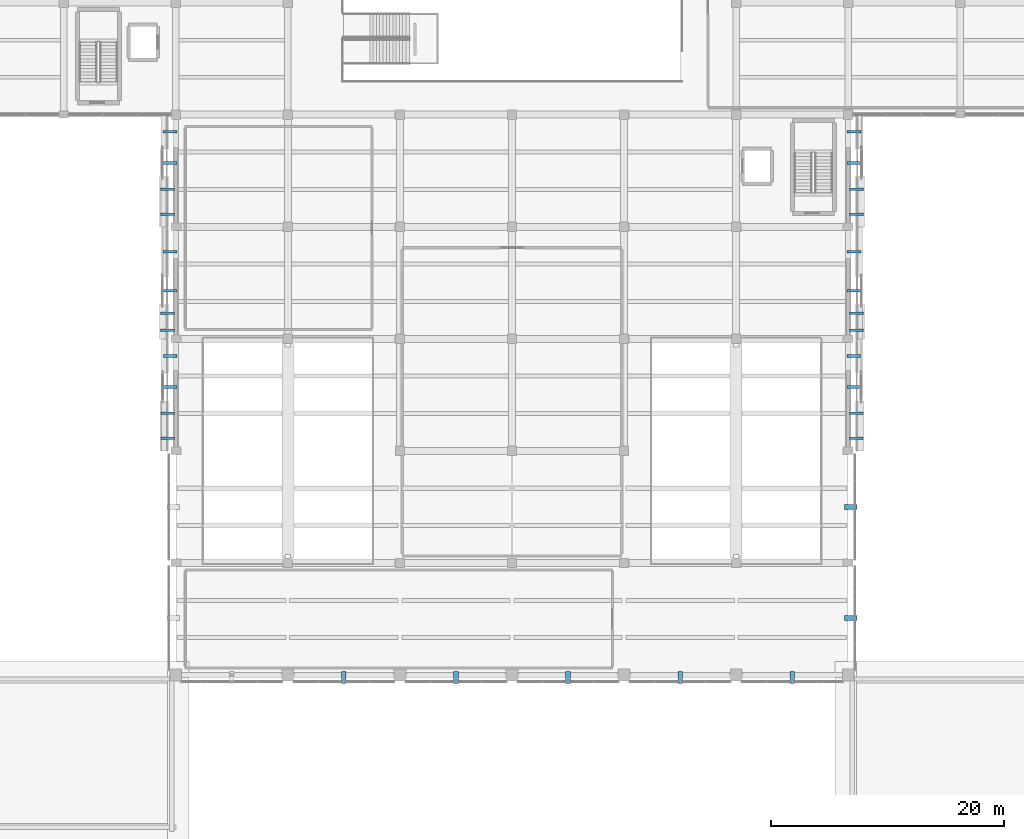
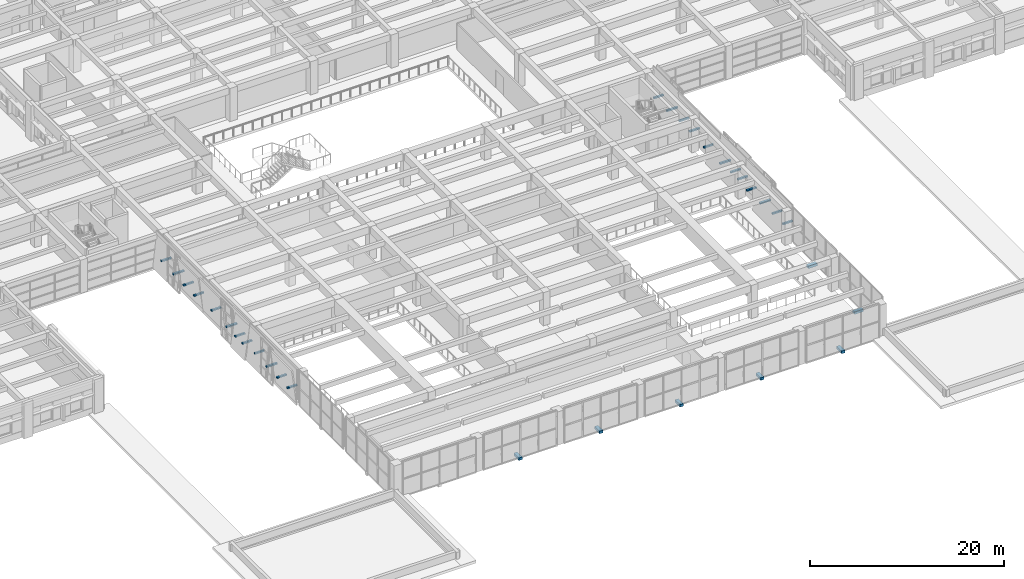
# One storey, part 38 of 49: 31 discrete accessories.
"""IFC4 building model written with IfcOpenShell, lengths in metres."""

from ifc_helpers import new_model, si_unit, direction, frame, origin, origin_2d, place, context, subcontext, project, spatial, rectangle, extrude, material, layer, layer_set, type_object, element, save


model = new_model("IFC4")

# Units and contexts
model_context = context("Model", 3, precision=1e-05, world=origin(), true_north=direction((0.0, 1.0)))
body_context = subcontext(model_context, "Body", "Model", "MODEL_VIEW")
ifc_project = project(units=[si_unit("LENGTHUNIT", "METRE"), si_unit("AREAUNIT", "SQUARE_METRE"), si_unit("VOLUMEUNIT", "CUBIC_METRE"), si_unit("PLANEANGLEUNIT", "RADIAN"), si_unit("MASSUNIT", "GRAM", prefix="KILO")], contexts=[model_context])

# Site, building, storey
site_placement = place(None, origin())
site = spatial("IfcSite", under=ifc_project, at=site_placement, CompositionType="ELEMENT")
building_placement = place(site_placement, origin())
building = spatial("IfcBuilding", under=site, at=building_placement, Name="Bempovik Park Faculty of Sciences", CompositionType="ELEMENT")
storey_placement = place(building_placement, frame((0.0, 0.0, 5.39990234375)))
storey = spatial("IfcBuildingStorey", under=building, at=storey_placement, Name="L01", CompositionType="ELEMENT", Elevation=5.39990234375)

# Discrete accessories
ifc_material = material(Name="Steel S355", Category="steel")
ifc_layer = layer(ifc_material, 0.14990234375)
ifc_layer_set = layer_set([ifc_layer], Name="Steel S355")
discrete_accessory_type = type_object("IfcDiscreteAccessoryType", Name="BK-01 Facade Support Bracket", PredefinedType="BRACKET", material=ifc_layer_set)
for number, where, z_axis, x_axis, name in (
    (1, (117.820068359375, 24.6875, -0.1201171875), (0.0, 0.0, 1.0), (1.0, 0.0, 0.0), "Glazed Base Tie Bracket L01-1176-198"),
    (2, (117.820068359375, 34.199951171875, -0.1201171875), (0.0, 0.0, 1.0), (1.0, 0.0, 0.0), "Glazed Base Tie Bracket L01-1176-294"),
):
    element("IfcDiscreteAccessory", number, at=place(storey_placement, frame(where, z_axis=z_axis, x_axis=x_axis)), inside=storey, type_object=discrete_accessory_type, Name=name, PredefinedType="BRACKET", context=body_context, shape_type="SweptSolid", body=[
        extrude(rectangle(XDim=1.050048828125, YDim=0.39990234375, at=origin_2d()), origin(), (0.0, 0.0, 1.0), 0.320068359375),
    ])
discrete_accessory_1_placement = place(storey_placement, frame((118.09130859375, 47.12744140625, 1.60009765625), z_axis=(0.0, 0.0, 1.0), x_axis=(1.0, 0.0, 0.0)))
element("IfcDiscreteAccessory", 3, at=discrete_accessory_1_placement, inside=storey, type_object=discrete_accessory_type, Name="Crystal Cladding Support Bracket FAC-CRYS-L01-1176-390-BKR", PredefinedType="BRACKET", context=body_context, shape_type="SweptSolid", body=[
    extrude(rectangle(XDim=1.162841796875, YDim=0.219970703125, at=origin_2d()), origin(), (0.0, 0.0, 1.0), 0.179931640625),
])
for number, where, z_axis, x_axis, name in (
    (4, (118.29150390625, 40.07373046875, 1.60009765625), (0.0, 0.0, 1.0), (1.0, 0.0, 0.0), "Crystal Cladding Support Bracket FAC-CRYS-L01-1176-390-BK1"),
    (5, (118.29150390625, 42.22119140625, 1.60009765625), (0.0, 0.0, 1.0), (1.0, 0.0, 0.0), "Crystal Cladding Support Bracket FAC-CRYS-L01-1176-390-BK2"),
):
    element("IfcDiscreteAccessory", number, at=place(storey_placement, frame(where, z_axis=z_axis, x_axis=x_axis)), inside=storey, type_object=discrete_accessory_type, Name=name, PredefinedType="BRACKET", context=body_context, shape_type="SweptSolid", body=[
        extrude(rectangle(XDim=1.182861328125, YDim=0.219970703125, at=origin_2d()), origin(), (0.0, 0.0, 1.0), 0.179931640625),
    ])
discrete_accessory_2_placement = place(storey_placement, frame((118.16162109375, 44.47509765625, 1.60009765625), z_axis=(0.0, 0.0, 1.0), x_axis=(1.0, 0.0, 0.0)))
element("IfcDiscreteAccessory", 6, at=discrete_accessory_2_placement, inside=storey, type_object=discrete_accessory_type, Name="Crystal Fold Tie Bracket FAC-CRYS-L01-1176-390-BKF", PredefinedType="BRACKET", context=body_context, shape_type="SweptSolid", body=[
    extrude(rectangle(XDim=1.282958984375, YDim=0.239990234375, at=origin_2d()), origin(), (0.0, 0.0, 1.0), 0.179931640625),
])
discrete_accessory_3_placement = place(storey_placement, frame((118.099365234375, 56.052490234375, 1.60009765625), z_axis=(0.0, 0.0, 1.0), x_axis=(1.0, 0.0, 0.0)))
element("IfcDiscreteAccessory", 7, at=discrete_accessory_3_placement, inside=storey, type_object=discrete_accessory_type, Name="Crystal Cladding Support Bracket FAC-CRYS-L01-1176-486-BKR", PredefinedType="BRACKET", context=body_context, shape_type="SweptSolid", body=[
    extrude(rectangle(XDim=1.1787109375, YDim=0.219970703125, at=origin_2d()), origin(), (0.0, 0.0, 1.0), 0.179931640625),
])
for number, where, z_axis, x_axis, name in (
    (8, (118.29931640625, 49.336181640625, 1.60009765625), (0.0, 0.0, 1.0), (1.0, 0.0, 0.0), "Crystal Cladding Support Bracket FAC-CRYS-L01-1176-486-BK1"),
    (9, (118.29931640625, 50.80859375, 1.60009765625), (0.0, 0.0, 1.0), (1.0, 0.0, 0.0), "Crystal Cladding Support Bracket FAC-CRYS-L01-1176-486-BK2"),
):
    element("IfcDiscreteAccessory", number, at=place(storey_placement, frame(where, z_axis=z_axis, x_axis=x_axis)), inside=storey, type_object=discrete_accessory_type, Name=name, PredefinedType="BRACKET", context=body_context, shape_type="SweptSolid", body=[
        extrude(rectangle(XDim=1.19873046875, YDim=0.219970703125, at=origin_2d()), origin(), (0.0, 0.0, 1.0), 0.179931640625),
    ])
discrete_accessory_4_placement = place(storey_placement, frame((118.169189453125, 52.72509765625, 1.60009765625), z_axis=(0.0, 0.0, 1.0), x_axis=(1.0, 0.0, 0.0)))
element("IfcDiscreteAccessory", 10, at=discrete_accessory_4_placement, inside=storey, type_object=discrete_accessory_type, Name="Crystal Fold Tie Bracket FAC-CRYS-L01-1176-486-BKF", PredefinedType="BRACKET", context=body_context, shape_type="SweptSolid", body=[
    extrude(rectangle(XDim=1.298583984375, YDim=0.239990234375, at=origin_2d()), origin(), (0.0, 0.0, 1.0), 0.179931640625),
])
discrete_accessory_5_placement = place(storey_placement, frame((118.103271484375, 66.327392578125, 1.60009765625), z_axis=(0.0, 0.0, 1.0), x_axis=(1.0, 0.0, 0.0)))
element("IfcDiscreteAccessory", 11, at=discrete_accessory_5_placement, inside=storey, type_object=discrete_accessory_type, Name="Crystal Cladding Support Bracket FAC-CRYS-L01-1176-582-BKR", PredefinedType="BRACKET", context=body_context, shape_type="SweptSolid", body=[
    extrude(rectangle(XDim=1.1865234375, YDim=0.219970703125, at=origin_2d()), origin(), (0.0, 0.0, 1.0), 0.179931640625),
])
for number, where, z_axis, x_axis, name in (
    (12, (118.30322265625, 59.273681640625, 1.60009765625), (0.0, 0.0, 1.0), (1.0, 0.0, 0.0), "Crystal Cladding Support Bracket FAC-CRYS-L01-1176-582-BK1"),
    (13, (118.30322265625, 61.421142578125, 1.60009765625), (0.0, 0.0, 1.0), (1.0, 0.0, 0.0), "Crystal Cladding Support Bracket FAC-CRYS-L01-1176-582-BK2"),
):
    element("IfcDiscreteAccessory", number, at=place(storey_placement, frame(where, z_axis=z_axis, x_axis=x_axis)), inside=storey, type_object=discrete_accessory_type, Name=name, PredefinedType="BRACKET", context=body_context, shape_type="SweptSolid", body=[
        extrude(rectangle(XDim=1.20654296875, YDim=0.219970703125, at=origin_2d()), origin(), (0.0, 0.0, 1.0), 0.179931640625),
    ])
discrete_accessory_6_placement = place(storey_placement, frame((118.17333984375, 63.675048828125, 1.60009765625), z_axis=(0.0, 0.0, 1.0), x_axis=(1.0, 0.0, 0.0)))
element("IfcDiscreteAccessory", 14, at=discrete_accessory_6_placement, inside=storey, type_object=discrete_accessory_type, Name="Crystal Fold Tie Bracket FAC-CRYS-L01-1176-582-BKF", PredefinedType="BRACKET", context=body_context, shape_type="SweptSolid", body=[
    extrude(rectangle(XDim=1.306640625, YDim=0.239990234375, at=origin_2d()), origin(), (0.0, 0.0, 1.0), 0.179931640625),
])
for number, where, z_axis, x_axis, name in (
    (15, (74.39990234375, 19.580078125, -0.1201171875), (0.0, 0.0, 1.0), (1.0, 0.0, 0.0), "Glazed Base Tie Bracket L01-198-696"),
    (16, (84.0, 19.580078125, -0.1201171875), (0.0, 0.0, 1.0), (1.0, 0.0, 0.0), "Glazed Base Tie Bracket L01-198-792"),
    (17, (93.60009765625, 19.580078125, -0.1201171875), (0.0, 0.0, 1.0), (1.0, 0.0, 0.0), "Glazed Base Tie Bracket L01-198-888"),
    (18, (103.199951171875, 19.580078125, -0.1201171875), (0.0, 0.0, 1.0), (1.0, 0.0, 0.0), "Glazed Base Tie Bracket L01-198-984"),
    (19, (112.800048828125, 19.580078125, -0.1201171875), (0.0, 0.0, 1.0), (1.0, 0.0, 0.0), "Glazed Base Tie Bracket L01-198-1080"),
):
    element("IfcDiscreteAccessory", number, at=place(storey_placement, frame(where, z_axis=z_axis, x_axis=x_axis)), inside=storey, type_object=discrete_accessory_type, Name=name, PredefinedType="BRACKET", context=body_context, shape_type="SweptSolid", body=[
        extrude(rectangle(XDim=0.39990234375, YDim=1.050048828125, at=origin_2d()), origin(), (0.0, 0.0, 1.0), 0.320068359375),
    ])
discrete_accessory_7_placement = place(storey_placement, frame((59.508544921875, 47.12744140625, 1.60009765625), z_axis=(0.0, 0.0, 1.0), x_axis=(1.0, 0.0, 0.0)))
element("IfcDiscreteAccessory", 20, at=discrete_accessory_7_placement, inside=storey, type_object=discrete_accessory_type, Name="Crystal Cladding Support Bracket FAC-CRYS-L01-600-390-BKR", PredefinedType="BRACKET", context=body_context, shape_type="SweptSolid", body=[
    extrude(rectangle(XDim=1.162841796875, YDim=0.219970703125, at=origin_2d()), origin(), (0.0, 0.0, 1.0), 0.179931640625),
])
for number, where, z_axis, x_axis, name in (
    (21, (59.30859375, 40.07373046875, 1.60009765625), (0.0, 0.0, 1.0), (1.0, 0.0, 0.0), "Crystal Cladding Support Bracket FAC-CRYS-L01-600-390-BK1"),
    (22, (59.30859375, 42.22119140625, 1.60009765625), (0.0, 0.0, 1.0), (1.0, 0.0, 0.0), "Crystal Cladding Support Bracket FAC-CRYS-L01-600-390-BK2"),
):
    element("IfcDiscreteAccessory", number, at=place(storey_placement, frame(where, z_axis=z_axis, x_axis=x_axis)), inside=storey, type_object=discrete_accessory_type, Name=name, PredefinedType="BRACKET", context=body_context, shape_type="SweptSolid", body=[
        extrude(rectangle(XDim=1.182861328125, YDim=0.219970703125, at=origin_2d()), origin(), (0.0, 0.0, 1.0), 0.179931640625),
    ])
discrete_accessory_8_placement = place(storey_placement, frame((59.4384765625, 44.47509765625, 1.60009765625), z_axis=(0.0, 0.0, 1.0), x_axis=(1.0, 0.0, 0.0)))
element("IfcDiscreteAccessory", 23, at=discrete_accessory_8_placement, inside=storey, type_object=discrete_accessory_type, Name="Crystal Fold Tie Bracket FAC-CRYS-L01-600-390-BKF", PredefinedType="BRACKET", context=body_context, shape_type="SweptSolid", body=[
    extrude(rectangle(XDim=1.282958984375, YDim=0.239990234375, at=origin_2d()), origin(), (0.0, 0.0, 1.0), 0.179931640625),
])
discrete_accessory_9_placement = place(storey_placement, frame((59.500732421875, 56.052490234375, 1.60009765625), z_axis=(0.0, 0.0, 1.0), x_axis=(1.0, 0.0, 0.0)))
element("IfcDiscreteAccessory", 24, at=discrete_accessory_9_placement, inside=storey, type_object=discrete_accessory_type, Name="Crystal Cladding Support Bracket FAC-CRYS-L01-600-486-BKR", PredefinedType="BRACKET", context=body_context, shape_type="SweptSolid", body=[
    extrude(rectangle(XDim=1.1787109375, YDim=0.219970703125, at=origin_2d()), origin(), (0.0, 0.0, 1.0), 0.179931640625),
])
for number, where, z_axis, x_axis, name in (
    (25, (59.300537109375, 49.336181640625, 1.60009765625), (0.0, 0.0, 1.0), (1.0, 0.0, 0.0), "Crystal Cladding Support Bracket FAC-CRYS-L01-600-486-BK1"),
    (26, (59.300537109375, 50.80859375, 1.60009765625), (0.0, 0.0, 1.0), (1.0, 0.0, 0.0), "Crystal Cladding Support Bracket FAC-CRYS-L01-600-486-BK2"),
):
    element("IfcDiscreteAccessory", number, at=place(storey_placement, frame(where, z_axis=z_axis, x_axis=x_axis)), inside=storey, type_object=discrete_accessory_type, Name=name, PredefinedType="BRACKET", context=body_context, shape_type="SweptSolid", body=[
        extrude(rectangle(XDim=1.19873046875, YDim=0.219970703125, at=origin_2d()), origin(), (0.0, 0.0, 1.0), 0.179931640625),
    ])
discrete_accessory_10_placement = place(storey_placement, frame((59.4306640625, 52.72509765625, 1.60009765625), z_axis=(0.0, 0.0, 1.0), x_axis=(1.0, 0.0, 0.0)))
element("IfcDiscreteAccessory", 27, at=discrete_accessory_10_placement, inside=storey, type_object=discrete_accessory_type, Name="Crystal Fold Tie Bracket FAC-CRYS-L01-600-486-BKF", PredefinedType="BRACKET", context=body_context, shape_type="SweptSolid", body=[
    extrude(rectangle(XDim=1.298583984375, YDim=0.239990234375, at=origin_2d()), origin(), (0.0, 0.0, 1.0), 0.179931640625),
])
discrete_accessory_11_placement = place(storey_placement, frame((59.49658203125, 66.327392578125, 1.60009765625), z_axis=(0.0, 0.0, 1.0), x_axis=(1.0, 0.0, 0.0)))
element("IfcDiscreteAccessory", 28, at=discrete_accessory_11_placement, inside=storey, type_object=discrete_accessory_type, Name="Crystal Cladding Support Bracket FAC-CRYS-L01-600-582-BKR", PredefinedType="BRACKET", context=body_context, shape_type="SweptSolid", body=[
    extrude(rectangle(XDim=1.1865234375, YDim=0.219970703125, at=origin_2d()), origin(), (0.0, 0.0, 1.0), 0.179931640625),
])
for number, where, z_axis, x_axis, name in (
    (29, (59.296630859375, 59.273681640625, 1.60009765625), (0.0, 0.0, 1.0), (1.0, 0.0, 0.0), "Crystal Cladding Support Bracket FAC-CRYS-L01-600-582-BK1"),
    (30, (59.296630859375, 61.421142578125, 1.60009765625), (0.0, 0.0, 1.0), (1.0, 0.0, 0.0), "Crystal Cladding Support Bracket FAC-CRYS-L01-600-582-BK2"),
):
    element("IfcDiscreteAccessory", number, at=place(storey_placement, frame(where, z_axis=z_axis, x_axis=x_axis)), inside=storey, type_object=discrete_accessory_type, Name=name, PredefinedType="BRACKET", context=body_context, shape_type="SweptSolid", body=[
        extrude(rectangle(XDim=1.20654296875, YDim=0.219970703125, at=origin_2d()), origin(), (0.0, 0.0, 1.0), 0.179931640625),
    ])
discrete_accessory_12_placement = place(storey_placement, frame((59.4267578125, 63.675048828125, 1.60009765625), z_axis=(0.0, 0.0, 1.0), x_axis=(1.0, 0.0, 0.0)))
element("IfcDiscreteAccessory", 31, at=discrete_accessory_12_placement, inside=storey, type_object=discrete_accessory_type, Name="Crystal Fold Tie Bracket FAC-CRYS-L01-600-582-BKF", PredefinedType="BRACKET", context=body_context, shape_type="SweptSolid", body=[
    extrude(rectangle(XDim=1.306640625, YDim=0.239990234375, at=origin_2d()), origin(), (0.0, 0.0, 1.0), 0.179931640625),
])

save(model, "model.ifc")
